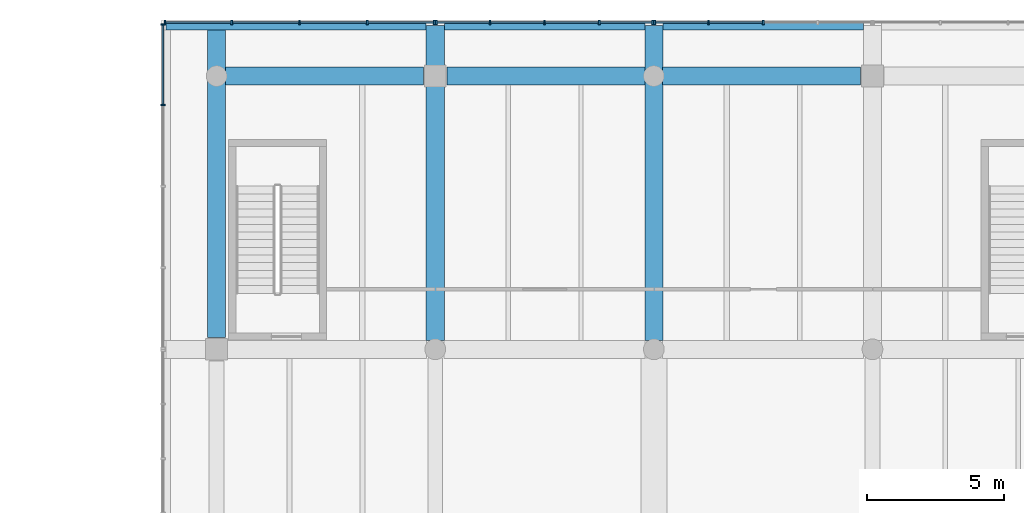
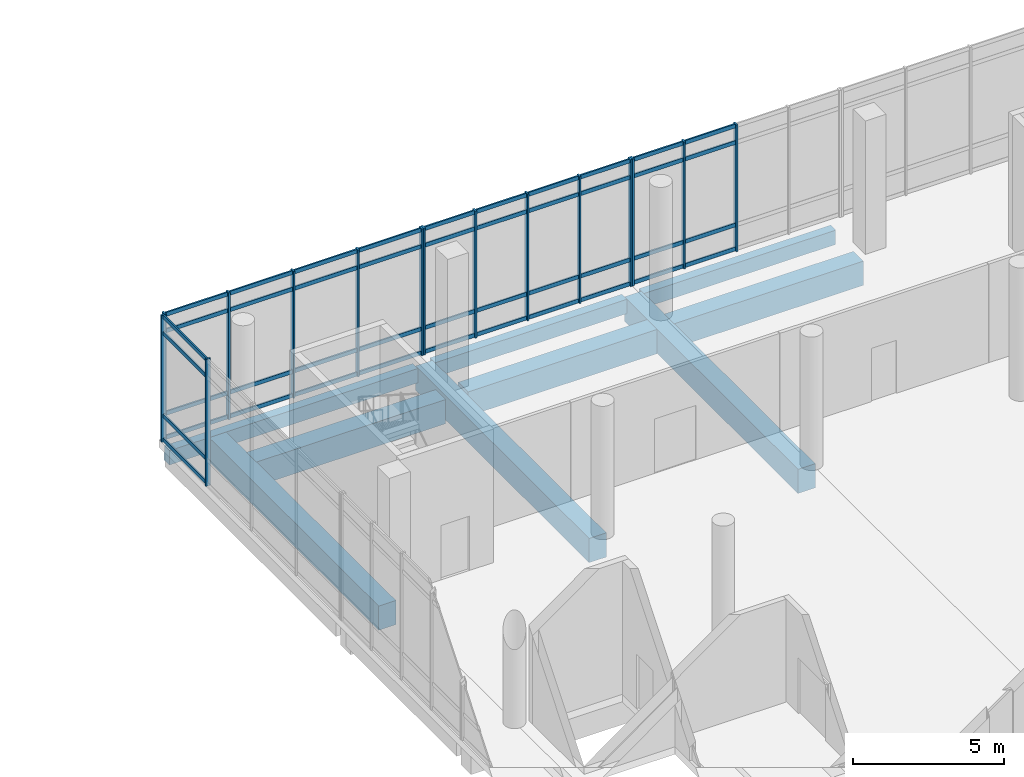
# One storey, part 8 of 20: 59 members, 9 beams, 4 elements without a shape of their own.
"""IFC4 building model written with IfcOpenShell, lengths in metres."""

from ifc_helpers import new_model, si_unit, direction, frame, origin, origin_2d, place, context, subcontext, project, spatial, rectangle, extrude, material, material_profile, profile_set, type_object, element, aggregate, save


model = new_model("IFC4")

# Units and contexts
model_context = context("Model", 3, precision=1e-05, world=origin(), true_north=direction((0.0, 1.0)))
body_context = subcontext(model_context, "Body", "Model", "MODEL_VIEW")
ifc_project = project(units=[si_unit("LENGTHUNIT", "METRE"), si_unit("AREAUNIT", "SQUARE_METRE"), si_unit("VOLUMEUNIT", "CUBIC_METRE"), si_unit("PLANEANGLEUNIT", "RADIAN"), si_unit("MASSUNIT", "GRAM", prefix="KILO")], contexts=[model_context])

# Site, building, storey
site_placement = place(None, origin())
site = spatial("IfcSite", under=ifc_project, at=site_placement, CompositionType="ELEMENT")
building_placement = place(site_placement, origin())
building = spatial("IfcBuilding", under=site, at=building_placement, Name="Pecanmere Concourse Central Library", CompositionType="ELEMENT")
storey_placement = place(building_placement, frame((0.0, 0.0, 24.89990234375)))
storey = spatial("IfcBuildingStorey", under=building, at=storey_placement, Name="L06", CompositionType="ELEMENT", Elevation=24.89990234375)

# Curtain wall, members
ifc_material_1 = material(Name="Anodized bronze aluminium alloy 6063-T6", Category="aluminium")
curtain_wall_type = type_object("IfcCurtainWallType", Name="CW_PLUMB_BANDED", PredefinedType="USERDEFINED", material=ifc_material_1)
curtain_wall_1_placement = place(storey_placement, origin())
curtain_wall_1 = element("IfcCurtainWall", 1, at=curtain_wall_1_placement, inside=storey, type_object=curtain_wall_type, Name="Unitised Curtain Wall CW-02 L06-071", ObjectType="UNITISED CURTAIN WALL", PredefinedType="USERDEFINED")
ifc_material_2 = material(Name="Anodized bronze aluminium alloy 6063-T6", Category="aluminium")
ifc_material_profile_1 = material_profile(ifc_material_2, rectangle(XDim=0.06494140625, YDim=0.179931640625, at=origin_2d()), Name="AL 65x180")
ifc_profile_set_1 = profile_set([ifc_material_profile_1], Name="Anodized bronze aluminium alloy 6063-T6")
member_type_1 = type_object("IfcMemberType", Name="CWM_180x65", PredefinedType="MULLION", material=ifc_profile_set_1)
member_1_placement = place(storey_placement, frame((92.0, 125.96142578125, 0.0), z_axis=(0.0, 0.0, 1.0), x_axis=(-1.0, 0.0, 0.0)))
member_1 = element("IfcMember", 2, at=member_1_placement, type_object=member_type_1, Name="CW-02 Mullion 3", PredefinedType="MULLION", context=body_context, shape_type="SweptSolid", body=[
    extrude(rectangle(XDim=0.06494140625, YDim=0.179931640625, at=origin_2d()), origin(), (0.0, 0.0, 1.0), 5.14013671875),
])
member_2_placement = place(storey_placement, frame((90.00244140625, 125.96142578125, 0.0), z_axis=(0.0, 0.0, 1.0), x_axis=(-1.0, 0.0, 0.0)))
member_2 = element("IfcMember", 3, at=member_2_placement, type_object=member_type_1, Name="CW-02 Mullion 4", PredefinedType="MULLION", context=body_context, shape_type="SweptSolid", body=[
    extrude(rectangle(XDim=0.06494140625, YDim=0.179931640625, at=origin_2d()), origin(), (0.0, 0.0, 1.0), 5.14013671875),
])
member_3_placement = place(storey_placement, frame((88.03759765625, 125.96142578125, 0.0), z_axis=(0.0, 0.0, 1.0), x_axis=(-1.0, 0.0, 0.0)))
member_3 = element("IfcMember", 4, at=member_3_placement, type_object=member_type_1, Name="CW-02 Mullion 5", PredefinedType="MULLION", context=body_context, shape_type="SweptSolid", body=[
    extrude(rectangle(XDim=0.06494140625, YDim=0.179931640625, at=origin_2d()), origin(), (0.0, 0.0, 1.0), 5.14013671875),
])

curtain_wall_2_placement = place(storey_placement, origin())
curtain_wall_2 = element("IfcCurtainWall", 5, at=curtain_wall_2_placement, inside=storey, type_object=curtain_wall_type, Name="Unitised Curtain Wall CW-02 L06-072", ObjectType="UNITISED CURTAIN WALL", PredefinedType="USERDEFINED")
member_4_placement = place(storey_placement, frame((87.96240234375, 125.96142578125, 0.0), z_axis=(0.0, 0.0, 1.0), x_axis=(-1.0, 0.0, 0.0)))
member_4 = element("IfcMember", 6, at=member_4_placement, type_object=member_type_1, Name="CW-02 Mullion 1", PredefinedType="MULLION", context=body_context, shape_type="SweptSolid", body=[
    extrude(rectangle(XDim=0.06494140625, YDim=0.179931640625, at=origin_2d()), origin(), (0.0, 0.0, 1.0), 5.14013671875),
])
member_5_placement = place(storey_placement, frame((85.99755859375, 125.96142578125, 0.0), z_axis=(0.0, 0.0, 1.0), x_axis=(-1.0, 0.0, 0.0)))
member_5 = element("IfcMember", 7, at=member_5_placement, type_object=member_type_1, Name="CW-02 Mullion 2", PredefinedType="MULLION", context=body_context, shape_type="SweptSolid", body=[
    extrude(rectangle(XDim=0.06494140625, YDim=0.179931640625, at=origin_2d()), origin(), (0.0, 0.0, 1.0), 5.14013671875),
])
member_6_placement = place(storey_placement, frame((84.0, 125.96142578125, 0.0), z_axis=(0.0, 0.0, 1.0), x_axis=(-1.0, 0.0, 0.0)))
member_6 = element("IfcMember", 8, at=member_6_placement, type_object=member_type_1, Name="CW-02 Mullion 3", PredefinedType="MULLION", context=body_context, shape_type="SweptSolid", body=[
    extrude(rectangle(XDim=0.06494140625, YDim=0.179931640625, at=origin_2d()), origin(), (0.0, 0.0, 1.0), 5.14013671875),
])
member_7_placement = place(storey_placement, frame((82.00244140625, 125.96142578125, 0.0), z_axis=(0.0, 0.0, 1.0), x_axis=(-1.0, 0.0, 0.0)))
member_7 = element("IfcMember", 9, at=member_7_placement, type_object=member_type_1, Name="CW-02 Mullion 4", PredefinedType="MULLION", context=body_context, shape_type="SweptSolid", body=[
    extrude(rectangle(XDim=0.06494140625, YDim=0.179931640625, at=origin_2d()), origin(), (0.0, 0.0, 1.0), 5.14013671875),
])
member_8_placement = place(storey_placement, frame((80.03759765625, 125.96142578125, 0.0), z_axis=(0.0, 0.0, 1.0), x_axis=(-1.0, 0.0, 0.0)))
member_8 = element("IfcMember", 10, at=member_8_placement, type_object=member_type_1, Name="CW-02 Mullion 5", PredefinedType="MULLION", context=body_context, shape_type="SweptSolid", body=[
    extrude(rectangle(XDim=0.06494140625, YDim=0.179931640625, at=origin_2d()), origin(), (0.0, 0.0, 1.0), 5.14013671875),
])

curtain_wall_3_placement = place(storey_placement, origin())
curtain_wall_3 = element("IfcCurtainWall", 11, at=curtain_wall_3_placement, inside=storey, type_object=curtain_wall_type, Name="Unitised Curtain Wall CW-02 L06-073", ObjectType="UNITISED CURTAIN WALL", PredefinedType="USERDEFINED")
member_9_placement = place(storey_placement, frame((79.96240234375, 125.96142578125, 0.0), z_axis=(0.0, 0.0, 1.0), x_axis=(-1.0, 0.0, 0.0)))
member_9 = element("IfcMember", 12, at=member_9_placement, type_object=member_type_1, Name="CW-02 Mullion 1", PredefinedType="MULLION", context=body_context, shape_type="SweptSolid", body=[
    extrude(rectangle(XDim=0.06494140625, YDim=0.179931640625, at=origin_2d()), origin(), (0.0, 0.0, 1.0), 5.14013671875),
])
member_10_placement = place(storey_placement, frame((77.515869140625, 125.96142578125, 0.0), z_axis=(0.0, 0.0, 1.0), x_axis=(-1.0, 0.0, 0.0)))
member_10 = element("IfcMember", 13, at=member_10_placement, type_object=member_type_1, Name="CW-02 Mullion 2", PredefinedType="MULLION", context=body_context, shape_type="SweptSolid", body=[
    extrude(rectangle(XDim=0.06494140625, YDim=0.179931640625, at=origin_2d()), origin(), (0.0, 0.0, 1.0), 5.14013671875),
])
member_11_placement = place(storey_placement, frame((75.036865234375, 125.96142578125, 0.0), z_axis=(0.0, 0.0, 1.0), x_axis=(-1.0, 0.0, 0.0)))
member_11 = element("IfcMember", 14, at=member_11_placement, type_object=member_type_1, Name="CW-02 Mullion 3", PredefinedType="MULLION", context=body_context, shape_type="SweptSolid", body=[
    extrude(rectangle(XDim=0.06494140625, YDim=0.179931640625, at=origin_2d()), origin(), (0.0, 0.0, 1.0), 5.14013671875),
])
member_12_placement = place(storey_placement, frame((72.5576171875, 125.96142578125, 0.0), z_axis=(0.0, 0.0, 1.0), x_axis=(-1.0, 0.0, 0.0)))
member_12 = element("IfcMember", 15, at=member_12_placement, type_object=member_type_1, Name="CW-02 Mullion 4", PredefinedType="MULLION", context=body_context, shape_type="SweptSolid", body=[
    extrude(rectangle(XDim=0.06494140625, YDim=0.179931640625, at=origin_2d()), origin(), (0.0, 0.0, 1.0), 5.14013671875),
])
member_13_placement = place(storey_placement, frame((70.111083984375, 125.96142578125, 0.0), z_axis=(0.0, 0.0, 1.0), x_axis=(-1.0, 0.0, 0.0)))
member_13 = element("IfcMember", 16, at=member_13_placement, type_object=member_type_1, Name="CW-02 Mullion 5", PredefinedType="MULLION", context=body_context, shape_type="SweptSolid", body=[
    extrude(rectangle(XDim=0.06494140625, YDim=0.179931640625, at=origin_2d()), origin(), (0.0, 0.0, 1.0), 5.14013671875),
])

curtain_wall_4_placement = place(storey_placement, origin())
curtain_wall_4 = element("IfcCurtainWall", 17, at=curtain_wall_4_placement, inside=storey, type_object=curtain_wall_type, Name="Unitised Curtain Wall CW-02 L06-081", ObjectType="UNITISED CURTAIN WALL", PredefinedType="USERDEFINED")
member_14_placement = place(storey_placement, frame((70.03857421875, 125.888916015625, 0.0), z_axis=(0.0, 0.0, 1.0), x_axis=(0.0, -1.0, 0.0)))
member_14 = element("IfcMember", 18, at=member_14_placement, type_object=member_type_1, Name="CW-02 Mullion 1", PredefinedType="MULLION", context=body_context, shape_type="SweptSolid", body=[
    extrude(rectangle(XDim=0.06494140625, YDim=0.179931640625, at=origin_2d()), origin(), (0.0, 0.0, 1.0), 5.14013671875),
])
member_15_placement = place(storey_placement, frame((70.03857421875, 122.9423828125, 0.0), z_axis=(0.0, 0.0, 1.0), x_axis=(0.0, -1.0, 0.0)))
member_15 = element("IfcMember", 19, at=member_15_placement, type_object=member_type_1, Name="CW-02 Mullion 2", PredefinedType="MULLION", context=body_context, shape_type="SweptSolid", body=[
    extrude(rectangle(XDim=0.06494140625, YDim=0.179931640625, at=origin_2d()), origin(), (0.0, 0.0, 1.0), 5.14013671875),
])

# Member
ifc_material_3 = material(Name="Anodized bronze aluminium alloy 6063-T6", Category="aluminium")
ifc_material_profile_2 = material_profile(ifc_material_3, rectangle(XDim=0.06005859375, YDim=0.159912109375, at=origin_2d()), Name="AL 60x160")
ifc_profile_set_2 = profile_set([ifc_material_profile_2], Name="Anodized bronze aluminium alloy 6063-T6")
member_type_2 = type_object("IfcMemberType", Name="CWT_160x60", PredefinedType="USERDEFINED", material=ifc_profile_set_2)
member_16_placement = place(storey_placement, frame((91.967529296875, 125.96142578125, 0.080078125), z_axis=(-1.0, 0.0, 0.0), x_axis=(0.0, -1.0, 0.0)))
member_16 = element("IfcMember", 20, at=member_16_placement, type_object=member_type_2, Name="CW-02 Transom 3.1", ObjectType="TRANSOM", PredefinedType="USERDEFINED", context=body_context, shape_type="SweptSolid", body=[
    extrude(rectangle(XDim=0.06005859375, YDim=0.159912109375, at=origin_2d()), origin(), (0.0, 0.0, 1.0), 1.9326171875),
])

member_17_placement = place(storey_placement, frame((91.967529296875, 125.96142578125, 1.050048828125), z_axis=(-1.0, 0.0, 0.0), x_axis=(0.0, -1.0, 0.0)))
member_17 = element("IfcMember", 21, at=member_17_placement, type_object=member_type_2, Name="CW-02 Transom 3.2", ObjectType="TRANSOM", PredefinedType="USERDEFINED", context=body_context, shape_type="SweptSolid", body=[
    extrude(rectangle(XDim=0.06005859375, YDim=0.159912109375, at=origin_2d()), origin(), (0.0, 0.0, 1.0), 1.9326171875),
])

member_18_placement = place(storey_placement, frame((91.967529296875, 125.96142578125, 4.39013671875), z_axis=(-1.0, 0.0, 0.0), x_axis=(0.0, -1.0, 0.0)))
member_18 = element("IfcMember", 22, at=member_18_placement, type_object=member_type_2, Name="CW-02 Transom 3.3", ObjectType="TRANSOM", PredefinedType="USERDEFINED", context=body_context, shape_type="SweptSolid", body=[
    extrude(rectangle(XDim=0.06005859375, YDim=0.159912109375, at=origin_2d()), origin(), (0.0, 0.0, 1.0), 1.9326171875),
])

member_19_placement = place(storey_placement, frame((91.967529296875, 125.96142578125, 5.06005859375), z_axis=(-1.0, 0.0, 0.0), x_axis=(0.0, -1.0, 0.0)))
member_19 = element("IfcMember", 23, at=member_19_placement, type_object=member_type_2, Name="CW-02 Transom 3.4", ObjectType="TRANSOM", PredefinedType="USERDEFINED", context=body_context, shape_type="SweptSolid", body=[
    extrude(rectangle(XDim=0.06005859375, YDim=0.159912109375, at=origin_2d()), origin(), (0.0, 0.0, 1.0), 1.9326171875),
])

member_20_placement = place(storey_placement, frame((89.969970703125, 125.96142578125, 0.080078125), z_axis=(-1.0, 0.0, 0.0), x_axis=(0.0, -1.0, 0.0)))
member_20 = element("IfcMember", 24, at=member_20_placement, type_object=member_type_2, Name="CW-02 Transom 4.1", ObjectType="TRANSOM", PredefinedType="USERDEFINED", context=body_context, shape_type="SweptSolid", body=[
    extrude(rectangle(XDim=0.06005859375, YDim=0.159912109375, at=origin_2d()), origin(), (0.0, 0.0, 1.0), 1.89990234375),
])

member_21_placement = place(storey_placement, frame((89.969970703125, 125.96142578125, 1.050048828125), z_axis=(-1.0, 0.0, 0.0), x_axis=(0.0, -1.0, 0.0)))
member_21 = element("IfcMember", 25, at=member_21_placement, type_object=member_type_2, Name="CW-02 Transom 4.2", ObjectType="TRANSOM", PredefinedType="USERDEFINED", context=body_context, shape_type="SweptSolid", body=[
    extrude(rectangle(XDim=0.06005859375, YDim=0.159912109375, at=origin_2d()), origin(), (0.0, 0.0, 1.0), 1.89990234375),
])

member_22_placement = place(storey_placement, frame((89.969970703125, 125.96142578125, 4.39013671875), z_axis=(-1.0, 0.0, 0.0), x_axis=(0.0, -1.0, 0.0)))
member_22 = element("IfcMember", 26, at=member_22_placement, type_object=member_type_2, Name="CW-02 Transom 4.3", ObjectType="TRANSOM", PredefinedType="USERDEFINED", context=body_context, shape_type="SweptSolid", body=[
    extrude(rectangle(XDim=0.06005859375, YDim=0.159912109375, at=origin_2d()), origin(), (0.0, 0.0, 1.0), 1.89990234375),
])

member_23_placement = place(storey_placement, frame((89.969970703125, 125.96142578125, 5.06005859375), z_axis=(-1.0, 0.0, 0.0), x_axis=(0.0, -1.0, 0.0)))
member_23 = element("IfcMember", 27, at=member_23_placement, type_object=member_type_2, Name="CW-02 Transom 4.4", ObjectType="TRANSOM", PredefinedType="USERDEFINED", context=body_context, shape_type="SweptSolid", body=[
    extrude(rectangle(XDim=0.06005859375, YDim=0.159912109375, at=origin_2d()), origin(), (0.0, 0.0, 1.0), 1.89990234375),
])

aggregate(curtain_wall_1, [member_1, member_2, member_3, member_16, member_17, member_18, member_19, member_20, member_21, member_22, member_23])

member_24_placement = place(storey_placement, frame((87.929931640625, 125.96142578125, 0.080078125), z_axis=(-1.0, 0.0, 0.0), x_axis=(0.0, -1.0, 0.0)))
member_24 = element("IfcMember", 28, at=member_24_placement, type_object=member_type_2, Name="CW-02 Transom 1.1", ObjectType="TRANSOM", PredefinedType="USERDEFINED", context=body_context, shape_type="SweptSolid", body=[
    extrude(rectangle(XDim=0.06005859375, YDim=0.159912109375, at=origin_2d()), origin(), (0.0, 0.0, 1.0), 1.89990234375),
])

member_25_placement = place(storey_placement, frame((87.929931640625, 125.96142578125, 1.050048828125), z_axis=(-1.0, 0.0, 0.0), x_axis=(0.0, -1.0, 0.0)))
member_25 = element("IfcMember", 29, at=member_25_placement, type_object=member_type_2, Name="CW-02 Transom 1.2", ObjectType="TRANSOM", PredefinedType="USERDEFINED", context=body_context, shape_type="SweptSolid", body=[
    extrude(rectangle(XDim=0.06005859375, YDim=0.159912109375, at=origin_2d()), origin(), (0.0, 0.0, 1.0), 1.89990234375),
])

member_26_placement = place(storey_placement, frame((87.929931640625, 125.96142578125, 4.39013671875), z_axis=(-1.0, 0.0, 0.0), x_axis=(0.0, -1.0, 0.0)))
member_26 = element("IfcMember", 30, at=member_26_placement, type_object=member_type_2, Name="CW-02 Transom 1.3", ObjectType="TRANSOM", PredefinedType="USERDEFINED", context=body_context, shape_type="SweptSolid", body=[
    extrude(rectangle(XDim=0.06005859375, YDim=0.159912109375, at=origin_2d()), origin(), (0.0, 0.0, 1.0), 1.89990234375),
])

member_27_placement = place(storey_placement, frame((87.929931640625, 125.96142578125, 5.06005859375), z_axis=(-1.0, 0.0, 0.0), x_axis=(0.0, -1.0, 0.0)))
member_27 = element("IfcMember", 31, at=member_27_placement, type_object=member_type_2, Name="CW-02 Transom 1.4", ObjectType="TRANSOM", PredefinedType="USERDEFINED", context=body_context, shape_type="SweptSolid", body=[
    extrude(rectangle(XDim=0.06005859375, YDim=0.159912109375, at=origin_2d()), origin(), (0.0, 0.0, 1.0), 1.89990234375),
])

member_28_placement = place(storey_placement, frame((85.965087890625, 125.96142578125, 0.080078125), z_axis=(-1.0, 0.0, 0.0), x_axis=(0.0, -1.0, 0.0)))
member_28 = element("IfcMember", 32, at=member_28_placement, type_object=member_type_2, Name="CW-02 Transom 2.1", ObjectType="TRANSOM", PredefinedType="USERDEFINED", context=body_context, shape_type="SweptSolid", body=[
    extrude(rectangle(XDim=0.06005859375, YDim=0.159912109375, at=origin_2d()), origin(), (0.0, 0.0, 1.0), 1.9326171875),
])

member_29_placement = place(storey_placement, frame((85.965087890625, 125.96142578125, 1.050048828125), z_axis=(-1.0, 0.0, 0.0), x_axis=(0.0, -1.0, 0.0)))
member_29 = element("IfcMember", 33, at=member_29_placement, type_object=member_type_2, Name="CW-02 Transom 2.2", ObjectType="TRANSOM", PredefinedType="USERDEFINED", context=body_context, shape_type="SweptSolid", body=[
    extrude(rectangle(XDim=0.06005859375, YDim=0.159912109375, at=origin_2d()), origin(), (0.0, 0.0, 1.0), 1.9326171875),
])

member_30_placement = place(storey_placement, frame((85.965087890625, 125.96142578125, 4.39013671875), z_axis=(-1.0, 0.0, 0.0), x_axis=(0.0, -1.0, 0.0)))
member_30 = element("IfcMember", 34, at=member_30_placement, type_object=member_type_2, Name="CW-02 Transom 2.3", ObjectType="TRANSOM", PredefinedType="USERDEFINED", context=body_context, shape_type="SweptSolid", body=[
    extrude(rectangle(XDim=0.06005859375, YDim=0.159912109375, at=origin_2d()), origin(), (0.0, 0.0, 1.0), 1.9326171875),
])

member_31_placement = place(storey_placement, frame((85.965087890625, 125.96142578125, 5.06005859375), z_axis=(-1.0, 0.0, 0.0), x_axis=(0.0, -1.0, 0.0)))
member_31 = element("IfcMember", 35, at=member_31_placement, type_object=member_type_2, Name="CW-02 Transom 2.4", ObjectType="TRANSOM", PredefinedType="USERDEFINED", context=body_context, shape_type="SweptSolid", body=[
    extrude(rectangle(XDim=0.06005859375, YDim=0.159912109375, at=origin_2d()), origin(), (0.0, 0.0, 1.0), 1.9326171875),
])

member_32_placement = place(storey_placement, frame((83.967529296875, 125.96142578125, 0.080078125), z_axis=(-1.0, 0.0, 0.0), x_axis=(0.0, -1.0, 0.0)))
member_32 = element("IfcMember", 36, at=member_32_placement, type_object=member_type_2, Name="CW-02 Transom 3.1", ObjectType="TRANSOM", PredefinedType="USERDEFINED", context=body_context, shape_type="SweptSolid", body=[
    extrude(rectangle(XDim=0.06005859375, YDim=0.159912109375, at=origin_2d()), origin(), (0.0, 0.0, 1.0), 1.9326171875),
])

member_33_placement = place(storey_placement, frame((83.967529296875, 125.96142578125, 1.050048828125), z_axis=(-1.0, 0.0, 0.0), x_axis=(0.0, -1.0, 0.0)))
member_33 = element("IfcMember", 37, at=member_33_placement, type_object=member_type_2, Name="CW-02 Transom 3.2", ObjectType="TRANSOM", PredefinedType="USERDEFINED", context=body_context, shape_type="SweptSolid", body=[
    extrude(rectangle(XDim=0.06005859375, YDim=0.159912109375, at=origin_2d()), origin(), (0.0, 0.0, 1.0), 1.9326171875),
])

member_34_placement = place(storey_placement, frame((83.967529296875, 125.96142578125, 4.39013671875), z_axis=(-1.0, 0.0, 0.0), x_axis=(0.0, -1.0, 0.0)))
member_34 = element("IfcMember", 38, at=member_34_placement, type_object=member_type_2, Name="CW-02 Transom 3.3", ObjectType="TRANSOM", PredefinedType="USERDEFINED", context=body_context, shape_type="SweptSolid", body=[
    extrude(rectangle(XDim=0.06005859375, YDim=0.159912109375, at=origin_2d()), origin(), (0.0, 0.0, 1.0), 1.9326171875),
])

member_35_placement = place(storey_placement, frame((83.967529296875, 125.96142578125, 5.06005859375), z_axis=(-1.0, 0.0, 0.0), x_axis=(0.0, -1.0, 0.0)))
member_35 = element("IfcMember", 39, at=member_35_placement, type_object=member_type_2, Name="CW-02 Transom 3.4", ObjectType="TRANSOM", PredefinedType="USERDEFINED", context=body_context, shape_type="SweptSolid", body=[
    extrude(rectangle(XDim=0.06005859375, YDim=0.159912109375, at=origin_2d()), origin(), (0.0, 0.0, 1.0), 1.9326171875),
])

member_36_placement = place(storey_placement, frame((81.969970703125, 125.96142578125, 0.080078125), z_axis=(-1.0, 0.0, 0.0), x_axis=(0.0, -1.0, 0.0)))
member_36 = element("IfcMember", 40, at=member_36_placement, type_object=member_type_2, Name="CW-02 Transom 4.1", ObjectType="TRANSOM", PredefinedType="USERDEFINED", context=body_context, shape_type="SweptSolid", body=[
    extrude(rectangle(XDim=0.06005859375, YDim=0.159912109375, at=origin_2d()), origin(), (0.0, 0.0, 1.0), 1.89990234375),
])

member_37_placement = place(storey_placement, frame((81.969970703125, 125.96142578125, 1.050048828125), z_axis=(-1.0, 0.0, 0.0), x_axis=(0.0, -1.0, 0.0)))
member_37 = element("IfcMember", 41, at=member_37_placement, type_object=member_type_2, Name="CW-02 Transom 4.2", ObjectType="TRANSOM", PredefinedType="USERDEFINED", context=body_context, shape_type="SweptSolid", body=[
    extrude(rectangle(XDim=0.06005859375, YDim=0.159912109375, at=origin_2d()), origin(), (0.0, 0.0, 1.0), 1.89990234375),
])

member_38_placement = place(storey_placement, frame((81.969970703125, 125.96142578125, 4.39013671875), z_axis=(-1.0, 0.0, 0.0), x_axis=(0.0, -1.0, 0.0)))
member_38 = element("IfcMember", 42, at=member_38_placement, type_object=member_type_2, Name="CW-02 Transom 4.3", ObjectType="TRANSOM", PredefinedType="USERDEFINED", context=body_context, shape_type="SweptSolid", body=[
    extrude(rectangle(XDim=0.06005859375, YDim=0.159912109375, at=origin_2d()), origin(), (0.0, 0.0, 1.0), 1.89990234375),
])

member_39_placement = place(storey_placement, frame((81.969970703125, 125.96142578125, 5.06005859375), z_axis=(-1.0, 0.0, 0.0), x_axis=(0.0, -1.0, 0.0)))
member_39 = element("IfcMember", 43, at=member_39_placement, type_object=member_type_2, Name="CW-02 Transom 4.4", ObjectType="TRANSOM", PredefinedType="USERDEFINED", context=body_context, shape_type="SweptSolid", body=[
    extrude(rectangle(XDim=0.06005859375, YDim=0.159912109375, at=origin_2d()), origin(), (0.0, 0.0, 1.0), 1.89990234375),
])

aggregate(curtain_wall_2, [member_4, member_5, member_6, member_7, member_8, member_24, member_25, member_26, member_27, member_28, member_29, member_30, member_31, member_32, member_33, member_34, member_35, member_36, member_37, member_38, member_39])

member_40_placement = place(storey_placement, frame((79.929931640625, 125.96142578125, 0.080078125), z_axis=(-1.0, 0.0, 0.0), x_axis=(0.0, -1.0, 0.0)))
member_40 = element("IfcMember", 44, at=member_40_placement, type_object=member_type_2, Name="CW-02 Transom 1.1", ObjectType="TRANSOM", PredefinedType="USERDEFINED", context=body_context, shape_type="SweptSolid", body=[
    extrude(rectangle(XDim=0.06005859375, YDim=0.159912109375, at=origin_2d()), origin(), (0.0, 0.0, 1.0), 2.381591796875),
])

member_41_placement = place(storey_placement, frame((79.929931640625, 125.96142578125, 1.050048828125), z_axis=(-1.0, 0.0, 0.0), x_axis=(0.0, -1.0, 0.0)))
member_41 = element("IfcMember", 45, at=member_41_placement, type_object=member_type_2, Name="CW-02 Transom 1.2", ObjectType="TRANSOM", PredefinedType="USERDEFINED", context=body_context, shape_type="SweptSolid", body=[
    extrude(rectangle(XDim=0.06005859375, YDim=0.159912109375, at=origin_2d()), origin(), (0.0, 0.0, 1.0), 2.381591796875),
])

member_42_placement = place(storey_placement, frame((79.929931640625, 125.96142578125, 4.39013671875), z_axis=(-1.0, 0.0, 0.0), x_axis=(0.0, -1.0, 0.0)))
member_42 = element("IfcMember", 46, at=member_42_placement, type_object=member_type_2, Name="CW-02 Transom 1.3", ObjectType="TRANSOM", PredefinedType="USERDEFINED", context=body_context, shape_type="SweptSolid", body=[
    extrude(rectangle(XDim=0.06005859375, YDim=0.159912109375, at=origin_2d()), origin(), (0.0, 0.0, 1.0), 2.381591796875),
])

member_43_placement = place(storey_placement, frame((79.929931640625, 125.96142578125, 5.06005859375), z_axis=(-1.0, 0.0, 0.0), x_axis=(0.0, -1.0, 0.0)))
member_43 = element("IfcMember", 47, at=member_43_placement, type_object=member_type_2, Name="CW-02 Transom 1.4", ObjectType="TRANSOM", PredefinedType="USERDEFINED", context=body_context, shape_type="SweptSolid", body=[
    extrude(rectangle(XDim=0.06005859375, YDim=0.159912109375, at=origin_2d()), origin(), (0.0, 0.0, 1.0), 2.381591796875),
])

member_44_placement = place(storey_placement, frame((77.4833984375, 125.96142578125, 0.080078125), z_axis=(-1.0, 0.0, 0.0), x_axis=(0.0, -1.0, 0.0)))
member_44 = element("IfcMember", 48, at=member_44_placement, type_object=member_type_2, Name="CW-02 Transom 2.1", ObjectType="TRANSOM", PredefinedType="USERDEFINED", context=body_context, shape_type="SweptSolid", body=[
    extrude(rectangle(XDim=0.06005859375, YDim=0.159912109375, at=origin_2d()), origin(), (0.0, 0.0, 1.0), 2.4140625),
])

member_45_placement = place(storey_placement, frame((77.4833984375, 125.96142578125, 1.050048828125), z_axis=(-1.0, 0.0, 0.0), x_axis=(0.0, -1.0, 0.0)))
member_45 = element("IfcMember", 49, at=member_45_placement, type_object=member_type_2, Name="CW-02 Transom 2.2", ObjectType="TRANSOM", PredefinedType="USERDEFINED", context=body_context, shape_type="SweptSolid", body=[
    extrude(rectangle(XDim=0.06005859375, YDim=0.159912109375, at=origin_2d()), origin(), (0.0, 0.0, 1.0), 2.4140625),
])

member_46_placement = place(storey_placement, frame((77.4833984375, 125.96142578125, 4.39013671875), z_axis=(-1.0, 0.0, 0.0), x_axis=(0.0, -1.0, 0.0)))
member_46 = element("IfcMember", 50, at=member_46_placement, type_object=member_type_2, Name="CW-02 Transom 2.3", ObjectType="TRANSOM", PredefinedType="USERDEFINED", context=body_context, shape_type="SweptSolid", body=[
    extrude(rectangle(XDim=0.06005859375, YDim=0.159912109375, at=origin_2d()), origin(), (0.0, 0.0, 1.0), 2.4140625),
])

member_47_placement = place(storey_placement, frame((77.4833984375, 125.96142578125, 5.06005859375), z_axis=(-1.0, 0.0, 0.0), x_axis=(0.0, -1.0, 0.0)))
member_47 = element("IfcMember", 51, at=member_47_placement, type_object=member_type_2, Name="CW-02 Transom 2.4", ObjectType="TRANSOM", PredefinedType="USERDEFINED", context=body_context, shape_type="SweptSolid", body=[
    extrude(rectangle(XDim=0.06005859375, YDim=0.159912109375, at=origin_2d()), origin(), (0.0, 0.0, 1.0), 2.4140625),
])

member_48_placement = place(storey_placement, frame((75.004150390625, 125.96142578125, 0.080078125), z_axis=(-1.0, 0.0, 0.0), x_axis=(0.0, -1.0, 0.0)))
member_48 = element("IfcMember", 52, at=member_48_placement, type_object=member_type_2, Name="CW-02 Transom 3.1", ObjectType="TRANSOM", PredefinedType="USERDEFINED", context=body_context, shape_type="SweptSolid", body=[
    extrude(rectangle(XDim=0.06005859375, YDim=0.159912109375, at=origin_2d()), origin(), (0.0, 0.0, 1.0), 2.4140625),
])

member_49_placement = place(storey_placement, frame((75.004150390625, 125.96142578125, 1.050048828125), z_axis=(-1.0, 0.0, 0.0), x_axis=(0.0, -1.0, 0.0)))
member_49 = element("IfcMember", 53, at=member_49_placement, type_object=member_type_2, Name="CW-02 Transom 3.2", ObjectType="TRANSOM", PredefinedType="USERDEFINED", context=body_context, shape_type="SweptSolid", body=[
    extrude(rectangle(XDim=0.06005859375, YDim=0.159912109375, at=origin_2d()), origin(), (0.0, 0.0, 1.0), 2.4140625),
])

member_50_placement = place(storey_placement, frame((75.004150390625, 125.96142578125, 4.39013671875), z_axis=(-1.0, 0.0, 0.0), x_axis=(0.0, -1.0, 0.0)))
member_50 = element("IfcMember", 54, at=member_50_placement, type_object=member_type_2, Name="CW-02 Transom 3.3", ObjectType="TRANSOM", PredefinedType="USERDEFINED", context=body_context, shape_type="SweptSolid", body=[
    extrude(rectangle(XDim=0.06005859375, YDim=0.159912109375, at=origin_2d()), origin(), (0.0, 0.0, 1.0), 2.4140625),
])

member_51_placement = place(storey_placement, frame((75.004150390625, 125.96142578125, 5.06005859375), z_axis=(-1.0, 0.0, 0.0), x_axis=(0.0, -1.0, 0.0)))
member_51 = element("IfcMember", 55, at=member_51_placement, type_object=member_type_2, Name="CW-02 Transom 3.4", ObjectType="TRANSOM", PredefinedType="USERDEFINED", context=body_context, shape_type="SweptSolid", body=[
    extrude(rectangle(XDim=0.06005859375, YDim=0.159912109375, at=origin_2d()), origin(), (0.0, 0.0, 1.0), 2.4140625),
])

member_52_placement = place(storey_placement, frame((72.525146484375, 125.96142578125, 0.080078125), z_axis=(-1.0, 0.0, 0.0), x_axis=(0.0, -1.0, 0.0)))
member_52 = element("IfcMember", 56, at=member_52_placement, type_object=member_type_2, Name="CW-02 Transom 4.1", ObjectType="TRANSOM", PredefinedType="USERDEFINED", context=body_context, shape_type="SweptSolid", body=[
    extrude(rectangle(XDim=0.06005859375, YDim=0.159912109375, at=origin_2d()), origin(), (0.0, 0.0, 1.0), 2.381591796875),
])

member_53_placement = place(storey_placement, frame((72.525146484375, 125.96142578125, 1.050048828125), z_axis=(-1.0, 0.0, 0.0), x_axis=(0.0, -1.0, 0.0)))
member_53 = element("IfcMember", 57, at=member_53_placement, type_object=member_type_2, Name="CW-02 Transom 4.2", ObjectType="TRANSOM", PredefinedType="USERDEFINED", context=body_context, shape_type="SweptSolid", body=[
    extrude(rectangle(XDim=0.06005859375, YDim=0.159912109375, at=origin_2d()), origin(), (0.0, 0.0, 1.0), 2.381591796875),
])

member_54_placement = place(storey_placement, frame((72.525146484375, 125.96142578125, 4.39013671875), z_axis=(-1.0, 0.0, 0.0), x_axis=(0.0, -1.0, 0.0)))
member_54 = element("IfcMember", 58, at=member_54_placement, type_object=member_type_2, Name="CW-02 Transom 4.3", ObjectType="TRANSOM", PredefinedType="USERDEFINED", context=body_context, shape_type="SweptSolid", body=[
    extrude(rectangle(XDim=0.06005859375, YDim=0.159912109375, at=origin_2d()), origin(), (0.0, 0.0, 1.0), 2.381591796875),
])

member_55_placement = place(storey_placement, frame((72.525146484375, 125.96142578125, 5.06005859375), z_axis=(-1.0, 0.0, 0.0), x_axis=(0.0, -1.0, 0.0)))
member_55 = element("IfcMember", 59, at=member_55_placement, type_object=member_type_2, Name="CW-02 Transom 4.4", ObjectType="TRANSOM", PredefinedType="USERDEFINED", context=body_context, shape_type="SweptSolid", body=[
    extrude(rectangle(XDim=0.06005859375, YDim=0.159912109375, at=origin_2d()), origin(), (0.0, 0.0, 1.0), 2.381591796875),
])

aggregate(curtain_wall_3, [member_9, member_10, member_11, member_12, member_13, member_40, member_41, member_42, member_43, member_44, member_45, member_46, member_47, member_48, member_49, member_50, member_51, member_52, member_53, member_54, member_55])

member_56_placement = place(storey_placement, frame((70.03857421875, 125.8564453125, 0.080078125), z_axis=(0.0, -1.0, 0.0), x_axis=(1.0, 0.0, 0.0)))
member_56 = element("IfcMember", 60, at=member_56_placement, type_object=member_type_2, Name="CW-02 Transom 1.1", ObjectType="TRANSOM", PredefinedType="USERDEFINED", context=body_context, shape_type="SweptSolid", body=[
    extrude(rectangle(XDim=0.06005859375, YDim=0.159912109375, at=origin_2d()), origin(), (0.0, 0.0, 1.0), 2.881591796875),
])

member_57_placement = place(storey_placement, frame((70.03857421875, 125.8564453125, 1.050048828125), z_axis=(0.0, -1.0, 0.0), x_axis=(1.0, 0.0, 0.0)))
member_57 = element("IfcMember", 61, at=member_57_placement, type_object=member_type_2, Name="CW-02 Transom 1.2", ObjectType="TRANSOM", PredefinedType="USERDEFINED", context=body_context, shape_type="SweptSolid", body=[
    extrude(rectangle(XDim=0.06005859375, YDim=0.159912109375, at=origin_2d()), origin(), (0.0, 0.0, 1.0), 2.881591796875),
])

member_58_placement = place(storey_placement, frame((70.03857421875, 125.8564453125, 4.39013671875), z_axis=(0.0, -1.0, 0.0), x_axis=(1.0, 0.0, 0.0)))
member_58 = element("IfcMember", 62, at=member_58_placement, type_object=member_type_2, Name="CW-02 Transom 1.3", ObjectType="TRANSOM", PredefinedType="USERDEFINED", context=body_context, shape_type="SweptSolid", body=[
    extrude(rectangle(XDim=0.06005859375, YDim=0.159912109375, at=origin_2d()), origin(), (0.0, 0.0, 1.0), 2.881591796875),
])

member_59_placement = place(storey_placement, frame((70.03857421875, 125.8564453125, 5.06005859375), z_axis=(0.0, -1.0, 0.0), x_axis=(1.0, 0.0, 0.0)))
member_59 = element("IfcMember", 63, at=member_59_placement, type_object=member_type_2, Name="CW-02 Transom 1.4", ObjectType="TRANSOM", PredefinedType="USERDEFINED", context=body_context, shape_type="SweptSolid", body=[
    extrude(rectangle(XDim=0.06005859375, YDim=0.159912109375, at=origin_2d()), origin(), (0.0, 0.0, 1.0), 2.881591796875),
])

aggregate(curtain_wall_4, [member_14, member_15, member_56, member_57, member_58, member_59])

# Beams
ifc_material_4 = material(Name="Concrete C40/50", Category="concrete")
ifc_material_profile_3 = material_profile(ifc_material_4, rectangle(XDim=0.659912109375, YDim=0.97998046875, at=origin_2d()), Name="RC 660x980")
ifc_profile_set_3 = profile_set([ifc_material_profile_3], Name="Concrete C40/50")
beam_type_1 = type_object("IfcBeamType", Name="GRD_660x980", PredefinedType="USERDEFINED", material=ifc_profile_set_3)
for number, where, z_axis, x_axis, name in (
    (64, (72.324951171875, 124.0, -0.789794921875), (1.0, 0.0, 0.0), (0.0, 1.0, 0.0), "Primary Girder X L06-2665"),
    (65, (80.429931640625, 124.0, -0.789794921875), (1.0, 0.0, 0.0), (0.0, 1.0, 0.0), "Primary Girder X L06-2666"),
    (66, (88.324951171875, 124.0, -0.789794921875), (1.0, 0.0, 0.0), (0.0, 1.0, 0.0), "Primary Girder X L06-2667"),
):
    element("IfcBeam", number, at=place(storey_placement, frame(where, z_axis=z_axis, x_axis=x_axis)), inside=storey, type_object=beam_type_1, Name=name, ObjectType="GIRDER", PredefinedType="USERDEFINED", context=body_context, shape_type="SweptSolid", body=[
        extrude(rectangle(XDim=0.659912109375, YDim=0.97998046875, at=origin_2d()), origin(), (0.0, 0.0, 1.0), 7.2451171875),
    ])
beam_1_placement = place(storey_placement, frame((72.0, 114.429931640625, -0.789794921875), z_axis=(0.0, 1.0, 0.0), x_axis=(-1.0, 0.0, 0.0)))
element("IfcBeam", 67, at=beam_1_placement, inside=storey, type_object=beam_type_1, Name="Primary Girder Y L06-2687", ObjectType="GIRDER", PredefinedType="USERDEFINED", context=body_context, shape_type="SweptSolid", body=[
    extrude(rectangle(XDim=0.659912109375, YDim=0.97998046875, at=origin_2d()), origin(), (0.0, 0.0, 1.0), 11.25146484375),
])
for number, where, z_axis, x_axis, name in (
    (68, (80.0, 114.324951171875, -0.789794921875), (0.0, 1.0, 0.0), (-1.0, 0.0, 0.0), "Primary Girder Y L06-2691"),
    (69, (88.0, 114.324951171875, -0.789794921875), (0.0, 1.0, 0.0), (-1.0, 0.0, 0.0), "Primary Girder Y L06-2694"),
):
    element("IfcBeam", number, at=place(storey_placement, frame(where, z_axis=z_axis, x_axis=x_axis)), inside=storey, type_object=beam_type_1, Name=name, ObjectType="GIRDER", PredefinedType="USERDEFINED", context=body_context, shape_type="SweptSolid", body=[
        extrude(rectangle(XDim=0.659912109375, YDim=0.97998046875, at=origin_2d()), origin(), (0.0, 0.0, 1.0), 11.526611328125),
    ])
ifc_material_5 = material(Name="Concrete C40/50", Category="concrete")
ifc_material_profile_4 = material_profile(ifc_material_5, rectangle(XDim=0.340087890625, YDim=0.580078125, at=origin_2d()), Name="RC 340x580")
ifc_profile_set_4 = profile_set([ifc_material_profile_4], Name="Concrete C40/50")
beam_type_2 = type_object("IfcBeamType", Name="SPB_340x580", PredefinedType="BEAM", material=ifc_profile_set_4)
beam_2_placement = place(storey_placement, frame((70.1484375, 125.8515625, -0.58984375), z_axis=(1.0, 0.0, 0.0), x_axis=(0.0, 1.0, 0.0)))
element("IfcBeam", 70, at=beam_2_placement, inside=storey, type_object=beam_type_2, Name="Leaning Facade Edge Beam L06-2722", PredefinedType="BEAM", context=body_context, shape_type="SweptSolid", body=[
    extrude(rectangle(XDim=0.340087890625, YDim=0.580078125, at=origin_2d()), origin(), (0.0, 0.0, 1.0), 9.521484375),
])
for number, where, z_axis, x_axis, name in (
    (71, (80.330078125, 125.8515625, -0.58984375), (1.0, 0.0, 0.0), (0.0, 1.0, 0.0), "Leaning Facade Edge Beam L06-2723"),
    (72, (88.330078125, 125.8515625, -0.58984375), (1.0, 0.0, 0.0), (0.0, 1.0, 0.0), "Leaning Facade Edge Beam L06-2724"),
):
    element("IfcBeam", number, at=place(storey_placement, frame(where, z_axis=z_axis, x_axis=x_axis)), inside=storey, type_object=beam_type_2, Name=name, PredefinedType="BEAM", context=body_context, shape_type="SweptSolid", body=[
        extrude(rectangle(XDim=0.340087890625, YDim=0.580078125, at=origin_2d()), origin(), (0.0, 0.0, 1.0), 7.33984375),
    ])

save(model, "model.ifc")
